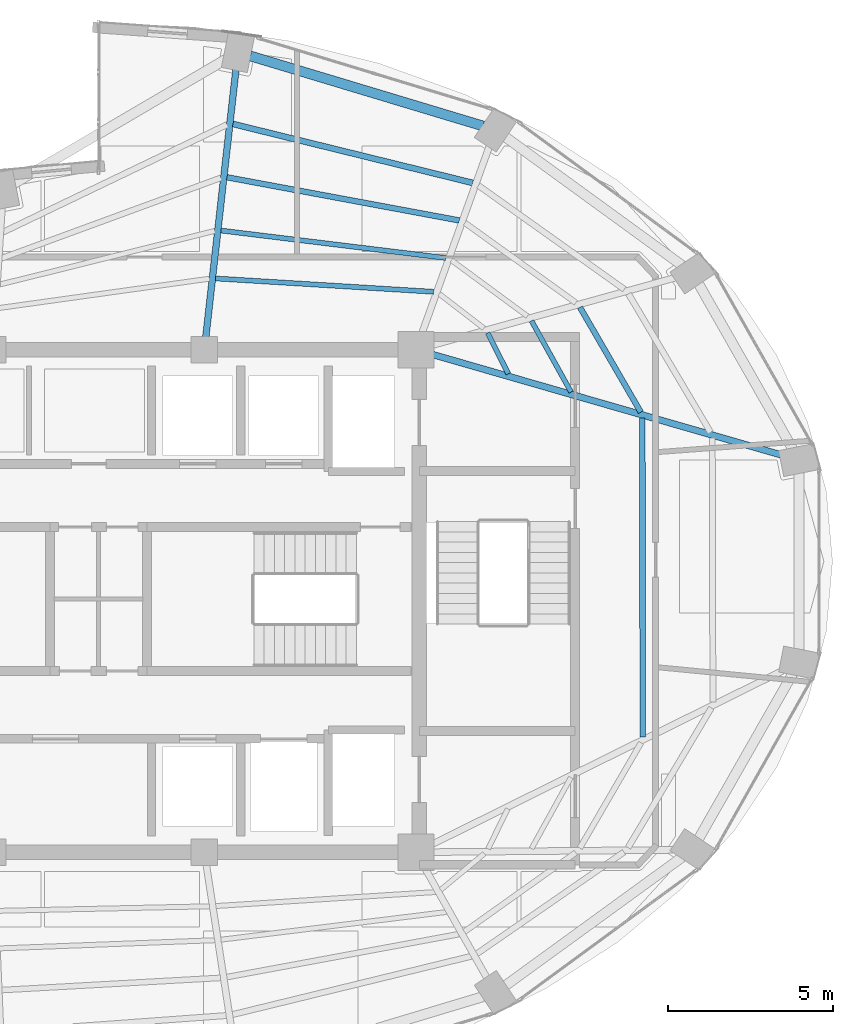
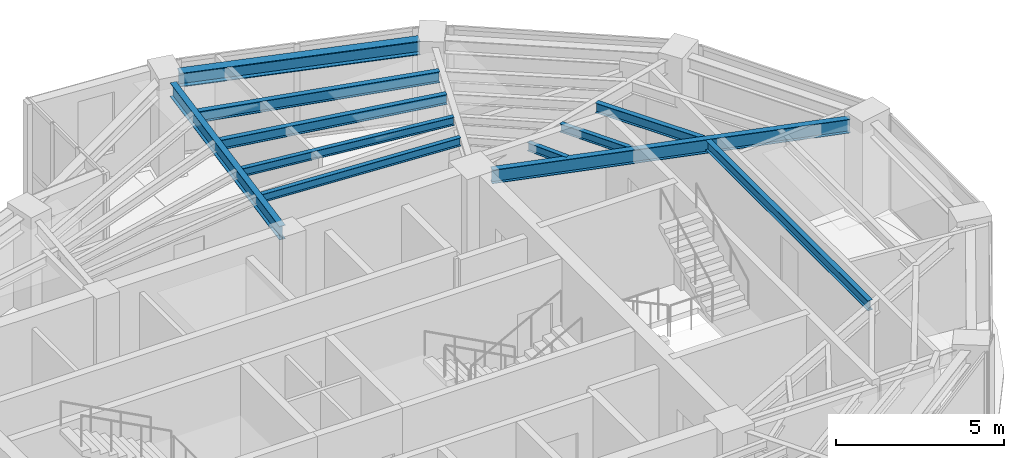
# One storey, part 5 of 15: 11 beams.
"""IFC4 building model written with IfcOpenShell, lengths in metres."""

from ifc_helpers import new_model, si_unit, direction, frame, origin, origin_2d, place, context, subcontext, project, spatial, i_section, extrude, material, material_profile, profile_set, type_object, element, save


model = new_model("IFC4")

# Units and contexts
model_context = context("Model", 3, precision=1e-05, world=origin(), true_north=direction((0.0, 1.0)))
body_context = subcontext(model_context, "Body", "Model", "MODEL_VIEW")
ifc_project = project(units=[si_unit("LENGTHUNIT", "METRE"), si_unit("AREAUNIT", "SQUARE_METRE"), si_unit("VOLUMEUNIT", "CUBIC_METRE"), si_unit("PLANEANGLEUNIT", "RADIAN"), si_unit("MASSUNIT", "GRAM", prefix="KILO")], contexts=[model_context])

# Site, building, storey
site_placement = place(None, origin())
site = spatial("IfcSite", under=ifc_project, at=site_placement, CompositionType="ELEMENT")
building_placement = place(site_placement, origin())
building = spatial("IfcBuilding", under=site, at=building_placement, Name="Lazwardi Medical Tower", CompositionType="ELEMENT")
storey_placement = place(building_placement, frame((0.0, 0.0, 280.56005859375)))
storey = spatial("IfcBuildingStorey", under=building, at=storey_placement, Name="L73", CompositionType="ELEMENT", Elevation=280.56005859375)

# Beams
ifc_material = material(Name="Steel S355", Category="steel")
ifc_material_profile_1 = material_profile(ifc_material, i_section(OverallWidth=0.300048828125, OverallDepth=0.5, WebThickness=0.014404296875, FlangeThickness=0.028076171875, at=origin_2d()), Name="HEB 500")
ifc_profile_set_1 = profile_set([ifc_material_profile_1], Name="Steel S355")
beam_type_1 = type_object("IfcBeamType", Name="BM-RB-Z4", PredefinedType="BEAM", material=ifc_profile_set_1)
beam_1_placement = place(storey_placement, frame((47.626953125, 42.366455078125, 3.197998046875), z_axis=(-0.957544311906, 0.288286126506, 0.0), x_axis=(-0.288286126506, -0.957544311906, 0.0)))
element("IfcBeam", 1, at=beam_1_placement, inside=storey, type_object=beam_type_1, Name="Ring beam RB-05 B07 L73", PredefinedType="BEAM", context=body_context, shape_type="SweptSolid", body=[
    extrude(i_section(OverallWidth=0.300048828125, OverallDepth=0.5, WebThickness=0.014404296875, FlangeThickness=0.028076171875, at=origin_2d()), origin(), (0.0, 0.0, 1.0), 7.3515625),
])
ifc_material_profile_2 = material_profile(ifc_material, i_section(OverallWidth=0.199951171875, OverallDepth=0.5, WebThickness=0.01025390625, FlangeThickness=0.01611328125, at=origin_2d()), Name="IPE 500")
ifc_profile_set_2 = profile_set([ifc_material_profile_2], Name="Steel S355")
beam_type_2 = type_object("IfcBeamType", Name="BM-RG-W3", PredefinedType="BEAM", material=ifc_profile_set_2)
beam_2_placement = place(storey_placement, frame((56.6708984375, 32.410888671875, 3.197998046875), z_axis=(-0.960926292206, 0.276804373065, 0.0), x_axis=(-0.276804373065, -0.960926292206, 0.0)))
element("IfcBeam", 2, at=beam_2_placement, inside=storey, type_object=beam_type_2, Name="Radial girder RG-04 R05 L73", PredefinedType="BEAM", context=body_context, shape_type="SweptSolid", body=[
    extrude(i_section(OverallWidth=0.199951171875, OverallDepth=0.5, WebThickness=0.01025390625, FlangeThickness=0.01611328125, at=origin_2d()), origin(), (0.0, 0.0, 1.0), 10.986083984375),
])
beam_3_placement = place(storey_placement, frame((40.154052734375, 44.066650390625, 3.197998046875), z_axis=(-0.11196962105, -0.993711630183, 0.0), x_axis=(0.993711630183, -0.11196962105, 0.0)))
element("IfcBeam", 3, at=beam_3_placement, inside=storey, type_object=beam_type_2, Name="Radial girder RG-04 R08 L73", PredefinedType="BEAM", context=body_context, shape_type="SweptSolid", body=[
    extrude(i_section(OverallWidth=0.199951171875, OverallDepth=0.5, WebThickness=0.01025390625, FlangeThickness=0.01611328125, at=origin_2d()), origin(), (0.0, 0.0, 1.0), 8.13525390625),
])
ifc_material_profile_3 = material_profile(ifc_material, i_section(OverallWidth=0.179931640625, OverallDepth=0.39990234375, WebThickness=0.008544921875, FlangeThickness=0.013427734375, at=origin_2d()), Name="IPE 400")
ifc_profile_set_3 = profile_set([ifc_material_profile_3], Name="Steel S355")
beam_type_3 = type_object("IfcBeamType", Name="BM-SJ-01", PredefinedType="JOIST", material=ifc_profile_set_3)
beam_4_placement = place(storey_placement, frame((47.319091796875, 40.64404296875, 3.248046875), z_axis=(-0.971096035988, 0.23868910509, 0.0), x_axis=(-0.23868910509, -0.971096035988, 0.0)))
element("IfcBeam", 4, at=beam_4_placement, inside=storey, type_object=beam_type_3, Name="Secondary joist SJ-01 R1 B07 L73", PredefinedType="JOIST", context=body_context, shape_type="SweptSolid", body=[
    extrude(i_section(OverallWidth=0.179931640625, OverallDepth=0.39990234375, WebThickness=0.008544921875, FlangeThickness=0.013427734375, at=origin_2d()), origin(), (0.0, 0.0, 1.0), 7.470703125),
])
ifc_material_profile_4 = material_profile(ifc_material, i_section(OverallWidth=0.169921875, OverallDepth=0.360107421875, WebThickness=0.008056640625, FlangeThickness=0.0126953125, at=origin_2d()), Name="IPE 360")
ifc_profile_set_4 = profile_set([ifc_material_profile_4], Name="Steel S355")
beam_type_4 = type_object("IfcBeamType", Name="BM-SJ-02", PredefinedType="JOIST", material=ifc_profile_set_4)
beam_5_placement = place(storey_placement, frame((52.455078125, 23.889892578125, 3.267822265625), z_axis=(-0.000708932372, 0.999999748707, 0.0), x_axis=(-0.999999748707, -0.000708932372, 0.0)))
element("IfcBeam", 5, at=beam_5_placement, inside=storey, type_object=beam_type_4, Name="Secondary joist SJ-02 R2 B04 L73", PredefinedType="JOIST", context=body_context, shape_type="SweptSolid", body=[
    extrude(i_section(OverallWidth=0.169921875, OverallDepth=0.360107421875, WebThickness=0.008056640625, FlangeThickness=0.0126953125, at=origin_2d()), origin(), (0.0, 0.0, 1.0), 9.642578125),
])
beam_6_placement = place(storey_placement, frame((52.400390625, 33.70947265625, 3.267822265625), z_axis=(-0.501626451559, 0.865084332939, 0.0), x_axis=(-0.865084332939, -0.501626451559, 0.0)))
element("IfcBeam", 6, at=beam_6_placement, inside=storey, type_object=beam_type_4, Name="Secondary joist SJ-02 R2 B05 L73", PredefinedType="JOIST", context=body_context, shape_type="SweptSolid", body=[
    extrude(i_section(OverallWidth=0.169921875, OverallDepth=0.360107421875, WebThickness=0.008056640625, FlangeThickness=0.0126953125, at=origin_2d()), origin(), (0.0, 0.0, 1.0), 3.668212890625),
])
beam_7_placement = place(storey_placement, frame((46.910400390625, 39.50927734375, 3.267822265625), z_axis=(-0.98315560802, 0.182770485635, 0.0), x_axis=(-0.182770485635, -0.98315560802, 0.0)))
element("IfcBeam", 7, at=beam_7_placement, inside=storey, type_object=beam_type_4, Name="Secondary joist SJ-02 R2 B07 L73", PredefinedType="JOIST", context=body_context, shape_type="SweptSolid", body=[
    extrude(i_section(OverallWidth=0.169921875, OverallDepth=0.360107421875, WebThickness=0.008056640625, FlangeThickness=0.0126953125, at=origin_2d()), origin(), (0.0, 0.0, 1.0), 7.147705078125),
])
ifc_material_profile_5 = material_profile(ifc_material, i_section(OverallWidth=0.14990234375, OverallDepth=0.300048828125, WebThickness=0.007080078125, FlangeThickness=0.0107421875, at=origin_2d()), Name="IPE 300")
ifc_profile_set_5 = profile_set([ifc_material_profile_5], Name="Steel S355")
beam_type_5 = type_object("IfcBeamType", Name="BM-SJ-03", PredefinedType="JOIST", material=ifc_profile_set_5)
beam_8_placement = place(storey_placement, frame((50.290771484375, 34.318603515625, 3.2978515625), z_axis=(-0.485634526525, 0.874161945321, 0.0), x_axis=(-0.874161945321, -0.485634526525, 0.0)))
element("IfcBeam", 8, at=beam_8_placement, inside=storey, type_object=beam_type_5, Name="Secondary joist SJ-03 R3 B05 L73", PredefinedType="JOIST", context=body_context, shape_type="SweptSolid", body=[
    extrude(i_section(OverallWidth=0.14990234375, OverallDepth=0.300048828125, WebThickness=0.007080078125, FlangeThickness=0.0107421875, at=origin_2d()), origin(), (0.0, 0.0, 1.0), 2.46630859375),
])
beam_9_placement = place(storey_placement, frame((46.502197265625, 38.373779296875, 3.2978515625), z_axis=(-0.992619429406, 0.121271053287, 0.0), x_axis=(-0.121271053287, -0.992619429406, 0.0)))
element("IfcBeam", 9, at=beam_9_placement, inside=storey, type_object=beam_type_5, Name="Secondary joist SJ-03 R3 B07 L73", PredefinedType="JOIST", context=body_context, shape_type="SweptSolid", body=[
    extrude(i_section(OverallWidth=0.14990234375, OverallDepth=0.300048828125, WebThickness=0.007080078125, FlangeThickness=0.0107421875, at=origin_2d()), origin(), (0.0, 0.0, 1.0), 6.850830078125),
])
beam_10_placement = place(storey_placement, frame((48.393798828125, 34.867919921875, 3.2978515625), z_axis=(-0.449607078784, 0.893226440891, 0.0), x_axis=(-0.893226440891, -0.449607078784, 0.0)))
element("IfcBeam", 10, at=beam_10_placement, inside=storey, type_object=beam_type_5, Name="Secondary joist SJ-03 R4 B05 L73", PredefinedType="JOIST", context=body_context, shape_type="SweptSolid", body=[
    extrude(i_section(OverallWidth=0.14990234375, OverallDepth=0.300048828125, WebThickness=0.007080078125, FlangeThickness=0.0107421875, at=origin_2d()), origin(), (0.0, 0.0, 1.0), 1.38623046875),
])
beam_11_placement = place(storey_placement, frame((46.135009765625, 37.3515625, 3.2978515625), z_axis=(-0.998131677286, 0.061099548269, 0.0), x_axis=(-0.061099548269, -0.998131677286, 0.0)))
element("IfcBeam", 11, at=beam_11_placement, inside=storey, type_object=beam_type_5, Name="Secondary joist SJ-03 R4 B07 L73", PredefinedType="JOIST", context=body_context, shape_type="SweptSolid", body=[
    extrude(i_section(OverallWidth=0.14990234375, OverallDepth=0.300048828125, WebThickness=0.007080078125, FlangeThickness=0.0107421875, at=origin_2d()), origin(), (0.0, 0.0, 1.0), 6.609130859375),
])

save(model, "model.ifc")
